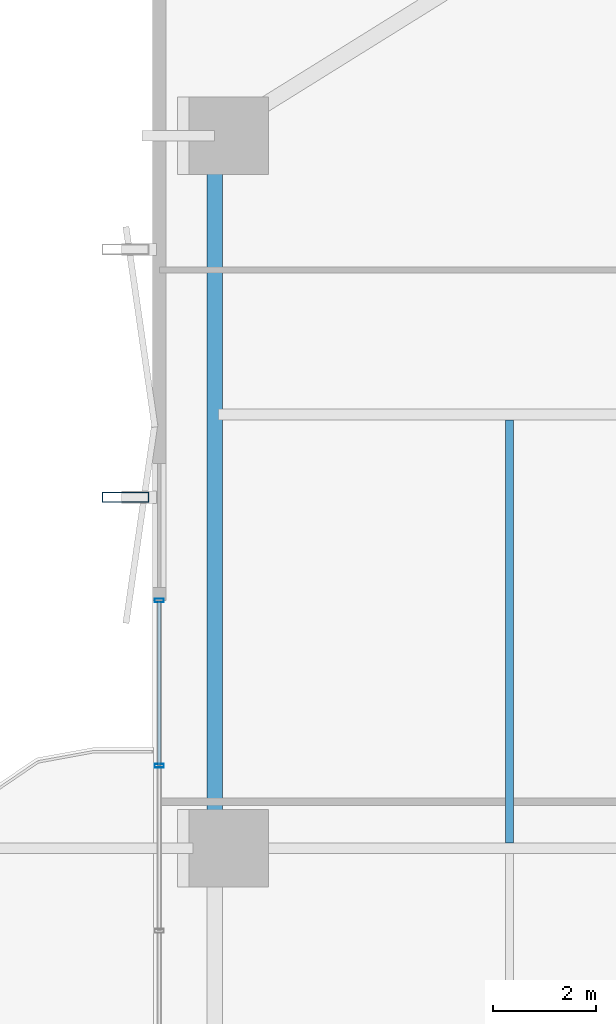
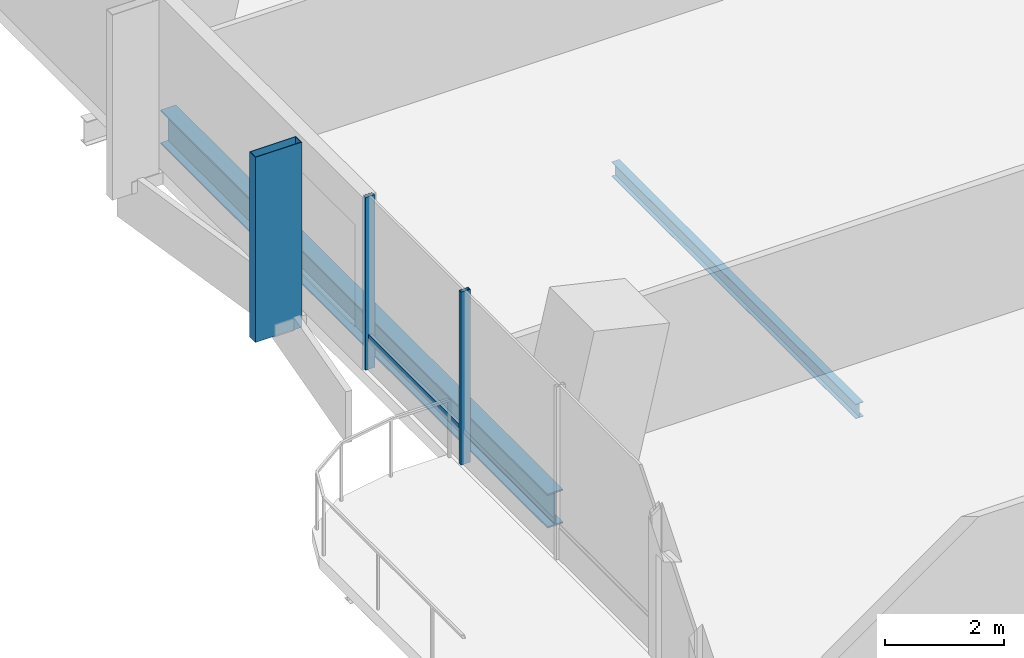
# One storey, part 9 of 24: 4 members, 2 beams, 1 element without a shape of its own.
"""IFC4 building model written with IfcOpenShell, lengths in metres."""

from ifc_helpers import new_model, si_unit, direction, frame, origin, origin_2d, place, context, subcontext, project, spatial, hollow_rectangle, i_section, extrude, material, layer, layer_set, material_profile, profile_set, type_object, element, aggregate, save


model = new_model("IFC4")

# Units and contexts
model_context = context("Model", 3, precision=1e-05, world=origin(), true_north=direction((0.0, 1.0)))
body_context = subcontext(model_context, "Body", "Model", "MODEL_VIEW")
ifc_project = project(units=[si_unit("LENGTHUNIT", "METRE"), si_unit("AREAUNIT", "SQUARE_METRE"), si_unit("VOLUMEUNIT", "CUBIC_METRE"), si_unit("PLANEANGLEUNIT", "RADIAN"), si_unit("MASSUNIT", "GRAM", prefix="KILO")], contexts=[model_context])

# Site, building, storey
site_placement = place(None, origin())
site = spatial("IfcSite", under=ifc_project, at=site_placement, CompositionType="ELEMENT")
building_placement = place(site_placement, origin())
building = spatial("IfcBuilding", under=site, at=building_placement, Name="Belovzor Exchange Tower", CompositionType="ELEMENT")
storey_placement = place(building_placement, frame((0.0, 0.0, 104.10009765625)))
storey = spatial("IfcBuildingStorey", under=building, at=storey_placement, Name="L25", CompositionType="ELEMENT", Elevation=104.10009765625)

# Beam
ifc_material_1 = material(Name="Steel S355", Category="steel")
ifc_material_profile_1 = material_profile(ifc_material_1, i_section(OverallWidth=0.14990234375, OverallDepth=0.300048828125, WebThickness=0.007080078125, FlangeThickness=0.0107421875, at=origin_2d()))
ifc_profile_set_1 = profile_set([ifc_material_profile_1], Name="Steel S355")
beam_type_1 = type_object("IfcBeamType", Name="Secondary Trim Floor Joist IPE 300", PredefinedType="BEAM", material=ifc_profile_set_1)
beam_1_placement = place(storey_placement, frame((7.81494140625, 28.905029296875, -0.400146484375), z_axis=(0.0, 1.0, 0.0), x_axis=(-1.0, 0.0, 0.0)))
element("IfcBeam", 1, at=beam_1_placement, inside=storey, type_object=beam_type_1, Name="FJ-300 Secondary Trim Floor Joist IPE 300", PredefinedType="BEAM", context=body_context, shape_type="SweptSolid", body=[
    extrude(i_section(OverallWidth=0.14990234375, OverallDepth=0.300048828125, WebThickness=0.007080078125, FlangeThickness=0.0107421875, at=origin_2d()), origin(), (0.0, 0.0, 1.0), 8.18994140625),
])

# Member
ifc_material_2 = material(Name="Extruded Architectural Terracotta on Steel S355 Carrier", Category="masonry")
ifc_material_profile_2 = material_profile(ifc_material_2, hollow_rectangle(XDim=0.199951171875, YDim=0.89990234375, WallThickness=0.011962890625, at=origin_2d()))
ifc_profile_set_2 = profile_set([ifc_material_profile_2], Name="Extruded Architectural Terracotta on Steel S355 Carrier")
member_type_1 = type_object("IfcMemberType", Name="Sweeping Terracotta Baguette Fin Assembly 1250", PredefinedType="USERDEFINED", material=ifc_profile_set_2)
member_1_placement = place(storey_placement, frame((0.375, 35.60009765625, -0.25), z_axis=(0.0, 0.0, 1.0), x_axis=(0.0, 1.0, 0.0)))
element("IfcMember", 2, at=member_1_placement, inside=storey, type_object=member_type_1, Name="FIN-TC125 Terracotta Facade Fin L25 W3", ObjectType="FIN", PredefinedType="USERDEFINED", context=body_context, shape_type="SweptSolid", body=[
    extrude(hollow_rectangle(XDim=0.199951171875, YDim=0.89990234375, WallThickness=0.011962890625, at=origin_2d()), origin(), (0.0, 0.0, 1.0), 3.789794921875),
])

# Curtain wall, members
ifc_material_3 = material(Name="Anodised Aluminium Framing", Category="aluminium")
ifc_layer = layer(ifc_material_3, 0.179931640625)
ifc_layer_set = layer_set([ifc_layer], Name="Anodised Aluminium Framing")
curtain_wall_type = type_object("IfcCurtainWallType", Name="Recessed Loggia Low-Iron Triple-Glazed Curtain Wall", PredefinedType="NOTDEFINED", material=ifc_layer_set)
curtain_wall_placement = place(storey_placement, origin())
curtain_wall = element("IfcCurtainWall", 3, at=curtain_wall_placement, inside=storey, type_object=curtain_wall_type, Name="CW3 Recessed Loggia Low-Iron Triple-Glazed Curtain Wall L25", PredefinedType="NOTDEFINED")
ifc_material_4 = material(Name="Steel S355", Category="steel")
ifc_material_profile_3 = material_profile(ifc_material_4, hollow_rectangle(XDim=0.074951171875, YDim=0.179931640625, WallThickness=0.0048828125, at=origin_2d()))
ifc_profile_set_3 = profile_set([ifc_material_profile_3], Name="Steel S355")
member_type_2 = type_object("IfcMemberType", Name="Thermally Broken Curtain Wall Mullion 180x75", PredefinedType="MULLION", material=ifc_profile_set_3)
member_2_placement = place(storey_placement, frame((1.030029296875, 30.39990234375, 0.0), z_axis=(0.0, 0.0, 1.0), x_axis=(0.0, 1.0, 0.0)))
member_2 = element("IfcMember", 4, at=member_2_placement, type_object=member_type_2, Name="CW-M180 Curtain Wall Mullion 3", PredefinedType="MULLION", context=body_context, shape_type="SweptSolid", body=[
    extrude(hollow_rectangle(XDim=0.074951171875, YDim=0.179931640625, WallThickness=0.0048828125, at=origin_2d()), origin(), (0.0, 0.0, 1.0), 3.539794921875),
])
member_3_placement = place(storey_placement, frame((1.030029296875, 33.60009765625, 0.0), z_axis=(0.0, 0.0, 1.0), x_axis=(0.0, 1.0, 0.0)))
member_3 = element("IfcMember", 5, at=member_3_placement, type_object=member_type_2, Name="CW-M180 Curtain Wall Mullion 4", PredefinedType="MULLION", context=body_context, shape_type="SweptSolid", body=[
    extrude(hollow_rectangle(XDim=0.074951171875, YDim=0.179931640625, WallThickness=0.0048828125, at=origin_2d()), origin(), (0.0, 0.0, 1.0), 3.539794921875),
])
ifc_material_5 = material(Name="Steel S355", Category="steel")
ifc_material_profile_4 = material_profile(ifc_material_5, hollow_rectangle(XDim=0.06005859375, YDim=0.14990234375, WallThickness=0.00390625, at=origin_2d()))
ifc_profile_set_4 = profile_set([ifc_material_profile_4], Name="Steel S355")
member_type_3 = type_object("IfcMemberType", Name="Thermally Broken Curtain Wall Transom 150x60", PredefinedType="USERDEFINED", material=ifc_profile_set_4)
member_4_placement = place(storey_placement, frame((1.030029296875, 30.407958984375, 0.636962890625), z_axis=(0.0, 1.0, 0.0), x_axis=(-1.0, 0.0, 0.0)))
member_4 = element("IfcMember", 6, at=member_4_placement, type_object=member_type_3, Name="CW-T150 Curtain Wall Transom 3", ObjectType="TRANSOM", PredefinedType="USERDEFINED", context=body_context, shape_type="SweptSolid", body=[
    extrude(hollow_rectangle(XDim=0.06005859375, YDim=0.14990234375, WallThickness=0.00390625, at=origin_2d()), origin(), (0.0, 0.0, 1.0), 3.18408203125),
])
aggregate(curtain_wall, [member_2, member_3, member_4])

# Beam
ifc_material_6 = material(Name="Steel S355", Category="steel")
ifc_material_profile_5 = material_profile(ifc_material_6, i_section(OverallWidth=0.300048828125, OverallDepth=0.699951171875, WebThickness=0.01708984375, FlangeThickness=0.031982421875, at=origin_2d()))
ifc_profile_set_5 = profile_set([ifc_material_profile_5], Name="Steel S355")
beam_type_2 = type_object("IfcBeamType", Name="Zone 1 Primary Perimeter Girder HEB 700", PredefinedType="BEAM", material=ifc_profile_set_5)
beam_2_placement = place(storey_placement, frame((2.10009765625, 42.18798828125, -0.60009765625), z_axis=(0.0, -1.0, 0.0), x_axis=(1.0, 0.0, 0.0)))
element("IfcBeam", 7, at=beam_2_placement, inside=storey, type_object=beam_type_2, Name="FG-Z1 Zone 1 Primary Perimeter Girder HEB 700", PredefinedType="BEAM", context=body_context, shape_type="SweptSolid", body=[
    extrude(i_section(OverallWidth=0.300048828125, OverallDepth=0.699951171875, WebThickness=0.01708984375, FlangeThickness=0.031982421875, at=origin_2d()), origin(), (0.0, 0.0, 1.0), 12.97509765625),
])

save(model, "model.ifc")
